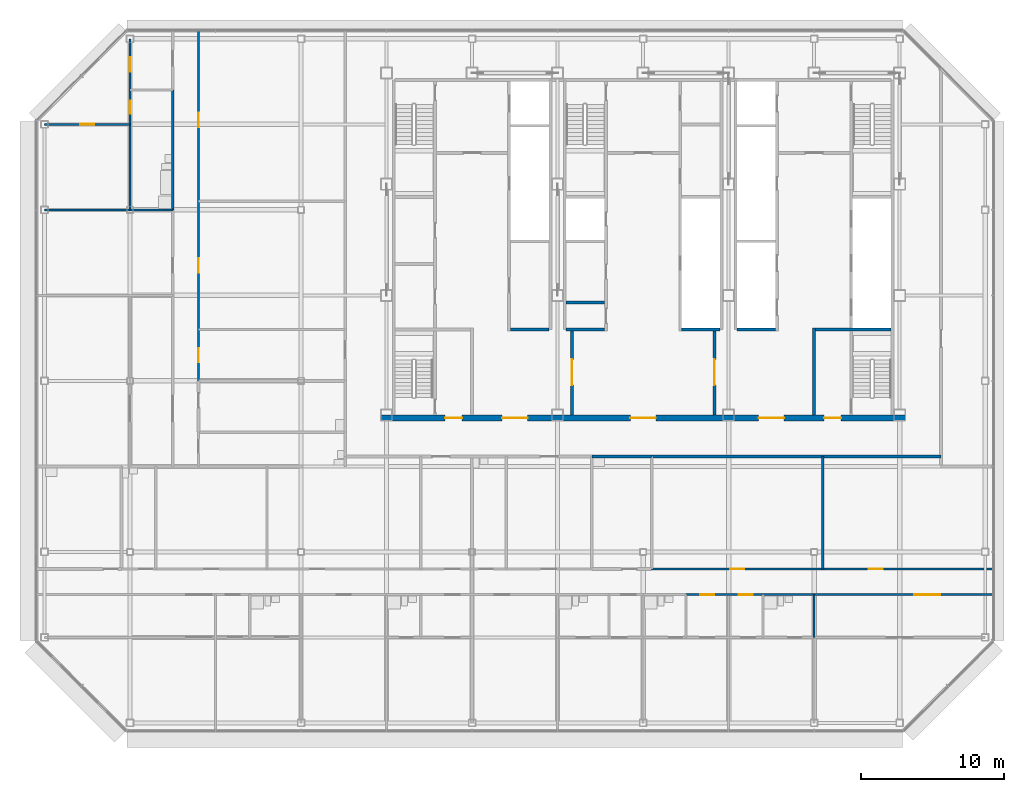
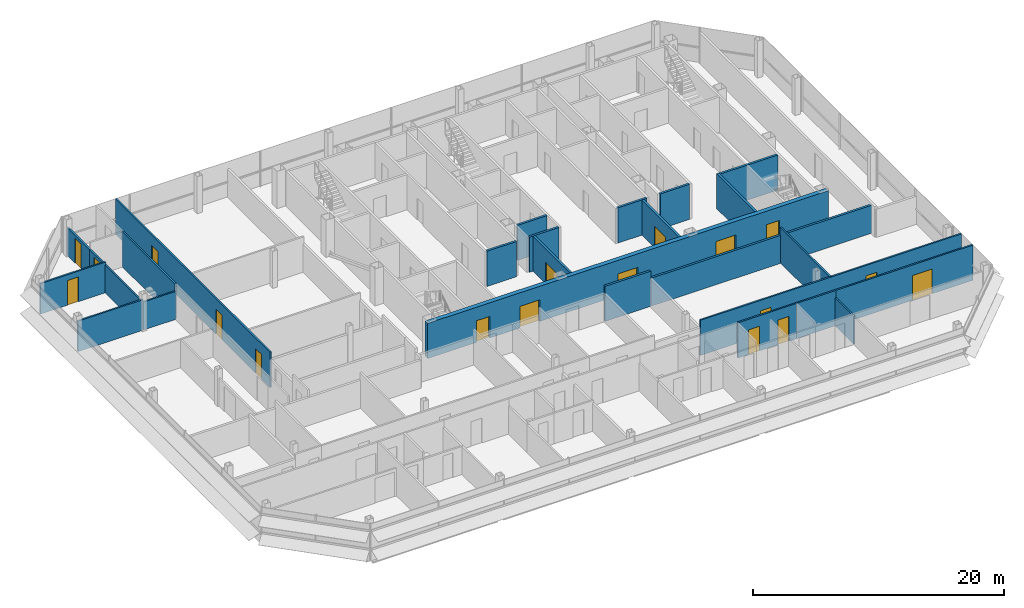
# One storey, part 23 of 28: 25 walls, 18 doors, 18 openings.
"""IFC4 building model written with IfcOpenShell, lengths in metres."""

import ifcopenshell
import ifcopenshell.guid

model = None  # the IFC model being written
_history = None  # IfcOwnerHistory: only IFC2X3 demands one
_inside = {}  # id of a spatial element -> (the spatial element, [elements in it])
_under = {}  # id of a project, library or spatial element -> (it, [spatial elements below it])
_declared = {}  # id of a project -> (the project, [libraries it declares])
_typed = {}  # id of a type object -> (the type object, [elements of that type])
_made_of = {}  # id of a material, layer set ... -> (it, [elements and type objects made of it])


def new_model(schema):
    """Start an empty IFC model of exactly this schema.

    Asked for "IFC4X3", IfcOpenShell would pick the latest addendum, in which some entities
    have other attributes; the version numbers below select the first issue.
    IFC2X3 requires an IfcOwnerHistory on every rooted entity: one is made here for all.
    """
    global model, _history
    if schema == "IFC4X3":
        model = ifcopenshell.file(schema_version=(4, 3, 0, 0))
    else:
        model = ifcopenshell.file(schema=schema)
    _inside.clear()
    _under.clear()
    _declared.clear()
    _typed.clear()
    _made_of.clear()
    _history = None
    if model.schema == "IFC2X3":
        org = make("IfcOrganization", Name="unknown")
        user = make(
            "IfcPersonAndOrganization",
            ThePerson=make("IfcPerson", FamilyName="unknown"),
            TheOrganization=org,
        )
        app = make(
            "IfcApplication",
            ApplicationDeveloper=org,
            Version="unknown",
            ApplicationFullName="unknown",
            ApplicationIdentifier="unknown",
        )
        _history = make(
            "IfcOwnerHistory",
            OwningUser=user,
            OwningApplication=app,
            ChangeAction="ADDED",
            CreationDate=0,
        )
    return model


def make(cls, **values):
    """One entity of the class cls with the attributes given. An attribute that is None is left unset."""
    return model.create_entity(
        cls, **{name: value for name, value in values.items() if value is not None}
    )


def rooted(cls, **values):
    """An entity with a GlobalId (a new one), such as an element, a storey or a relation."""
    return make(cls, GlobalId=ifcopenshell.guid.new(), OwnerHistory=_history, **values)


def si_unit(unit_type, name, prefix=None):
    """IfcSIUnit, for example si_unit("LENGTHUNIT", "METRE", prefix="MILLI")."""
    return make("IfcSIUnit", UnitType=unit_type, Prefix=prefix, Name=name)


def assignment(units):
    """IfcUnitAssignment: the units of a project."""
    return None if units is None else make("IfcUnitAssignment", Units=units)


def point(xyz):
    """IfcCartesianPoint."""
    return None if xyz is None else make("IfcCartesianPoint", Coordinates=xyz)


def direction(xyz):
    """IfcDirection."""
    return None if xyz is None else make("IfcDirection", DirectionRatios=xyz)


def frame(location, z_axis=None, x_axis=None):
    """IfcAxis2Placement3D, a coordinate frame: its origin and axes. An axis left out is left unset."""
    return make(
        "IfcAxis2Placement3D",
        Location=point(location),
        Axis=direction(z_axis),
        RefDirection=direction(x_axis),
    )


def frame_2d(location, x_axis=None):
    """IfcAxis2Placement2D, a coordinate frame in the plane: its origin and x axis."""
    return make(
        "IfcAxis2Placement2D", Location=point(location), RefDirection=direction(x_axis)
    )


def origin():
    """The frame at (0, 0, 0) with its axes left unset."""
    return frame((0.0, 0.0, 0.0))


def place(relative_to, where):
    """IfcLocalPlacement: puts the frame where relative to a parent placement (None: the world)."""
    return make(
        "IfcLocalPlacement", PlacementRelTo=relative_to, RelativePlacement=where
    )


def context(
    kind, dimensions, precision=None, world=None, true_north=None, identifier=None
):
    """IfcGeometricRepresentationContext, for example the 3D "Model" context."""
    return make(
        "IfcGeometricRepresentationContext",
        ContextIdentifier=identifier,
        ContextType=kind,
        CoordinateSpaceDimension=dimensions,
        Precision=precision,
        WorldCoordinateSystem=world,
        TrueNorth=true_north,
    )


def subcontext(parent, identifier, kind, view, scale=None):
    """IfcGeometricRepresentationSubContext, for example "Body" below "Model"."""
    return make(
        "IfcGeometricRepresentationSubContext",
        ContextIdentifier=identifier,
        ContextType=kind,
        ParentContext=parent,
        TargetScale=scale,
        TargetView=view,
    )


def project(units=None, contexts=None):
    """IfcProject with its units and contexts."""
    return rooted(
        "IfcProject",
        Name="project",
        RepresentationContexts=contexts,
        UnitsInContext=assignment(units),
    )


def spatial(cls, under=None, at=None, **own):
    """A site, building, storey or space (cls), placed at a placement, below another one or the project."""
    s = rooted(cls, ObjectPlacement=at, **own)
    if under is not None:
        _under.setdefault(under.id(), (under, []))[1].append(s)
    return s


def profile(cls, at=None, kind="AREA", **sizes):
    """A parametric profile (cls). Its sizes go by their IFC names, for example OverallWidth=200.0."""
    return make(cls, ProfileType=kind, Position=at, **sizes)


def rectangle(**sizes):
    """IfcRectangleProfileDef."""
    return profile("IfcRectangleProfileDef", **sizes)


def extrude(swept, where, along, depth):
    """IfcExtrudedAreaSolid: the profile swept, set in the frame where, extruded along a direction by depth."""
    return make(
        "IfcExtrudedAreaSolid",
        SweptArea=swept,
        Position=where,
        ExtrudedDirection=direction(along),
        Depth=depth,
    )


def shape(context_of_items, identifier, shape_type, items):
    """IfcShapeRepresentation: the items that make up one representation, for example the "Body"."""
    return make(
        "IfcShapeRepresentation",
        ContextOfItems=context_of_items,
        RepresentationIdentifier=identifier,
        RepresentationType=shape_type,
        Items=items,
    )


def material(Name=None, Category=None):
    """IfcMaterial."""
    return make("IfcMaterial", Name=Name, Category=Category)


def layer(
    of_material, thickness, ventilated=None, Name=None, Category=None, Priority=None
):
    """IfcMaterialLayer: one layer of a wall or slab, of a material (None: an air gap)."""
    return make(
        "IfcMaterialLayer",
        Material=of_material,
        LayerThickness=thickness,
        IsVentilated=ventilated,
        Name=Name,
        Category=Category,
        Priority=Priority,
    )


def layer_set(layers, Name=None):
    """IfcMaterialLayerSet."""
    return make("IfcMaterialLayerSet", MaterialLayers=layers, LayerSetName=Name)


def made_of(thing, what):
    """Note that an element or type object is made of a material, layer set ...; save() writes the relation."""
    if what is not None:
        _made_of.setdefault(what.id(), (what, []))[1].append(thing)
    return thing


def type_object(cls, material=None, **own):
    """A type object (cls), such as IfcWallType, which elements share."""
    return made_of(rooted(cls, **own), material)


def element(
    cls,
    number,
    at=None,
    inside=None,
    cuts=None,
    type_object=None,
    material=None,
    context=None,
    identifier="Body",
    shape_type=None,
    held_by="IfcProductDefinitionShape",
    body=None,
    shapes=None,
    **own,
):
    """One element of the class cls, such as IfcWall. Its Tag is "e" and its number.

    at: its placement. inside: the storey or other place that contains it. cuts: it is an
    opening in that element (IfcRelVoidsElement). A single representation is given by context,
    identifier, shape_type and body (its items); several are given by shapes. held_by: the class
    of the entity that holds the representations. save() writes the other relations.
    """
    e = rooted(cls, Tag="e%d" % number, ObjectPlacement=at, **own)
    if body is not None:
        shapes = [shape(context, identifier, shape_type, body)]
    if shapes is not None:
        e.Representation = make(held_by, Representations=shapes)
    if inside is not None:
        _inside.setdefault(inside.id(), (inside, []))[1].append(e)
    if cuts is not None:
        rooted(
            "IfcRelVoidsElement", RelatingBuildingElement=cuts, RelatedOpeningElement=e
        )
    if type_object is not None:
        _typed.setdefault(type_object.id(), (type_object, []))[1].append(e)
    return made_of(e, material)


def fill(opening, filler):
    """IfcRelFillsElement: the door or window that sits in an opening."""
    return rooted(
        "IfcRelFillsElement",
        RelatingOpeningElement=opening,
        RelatedBuildingElement=filler,
    )


def aggregate(whole, parts):
    """IfcRelAggregates: a whole, such as a stair, and the parts it consists of."""
    return rooted("IfcRelAggregates", RelatingObject=whole, RelatedObjects=parts)


def save(model, path):
    """Write the relations noted so far, then the file.

    IfcRelAggregates (storeys below a building ...), IfcRelContainedInSpatialStructure (elements
    in a storey), IfcRelDefinesByType, IfcRelAssociatesMaterial and IfcRelDeclares: one each for
    every whole, place, type object, material and project.
    """
    for whole, parts in _under.values():
        aggregate(whole, parts)
    for where, things in _inside.values():
        rooted(
            "IfcRelContainedInSpatialStructure",
            RelatedElements=things,
            RelatingStructure=where,
        )
    for kind, things in _typed.values():
        rooted("IfcRelDefinesByType", RelatedObjects=things, RelatingType=kind)
    for what, things in _made_of.values():
        rooted("IfcRelAssociatesMaterial", RelatedObjects=things, RelatingMaterial=what)
    for by, libraries in _declared.values():
        rooted("IfcRelDeclares", RelatingContext=by, RelatedDefinitions=libraries)
    model.write(path)


model = new_model("IFC4")

# Units and contexts
model_context = context("Model", 3, precision=1e-05, world=origin(), true_north=direction((0.0, 1.0)))
body_context = subcontext(model_context, "Body", "Model", "MODEL_VIEW")
ifc_project = project(units=[si_unit("LENGTHUNIT", "METRE"), si_unit("AREAUNIT", "SQUARE_METRE"), si_unit("VOLUMEUNIT", "CUBIC_METRE"), si_unit("PLANEANGLEUNIT", "RADIAN"), si_unit("MASSUNIT", "GRAM", prefix="KILO")], contexts=[model_context])

# Site, building, storey
site_placement = place(None, origin())
site = spatial("IfcSite", under=ifc_project, at=site_placement, CompositionType="ELEMENT")
building_placement = place(site_placement, origin())
building = spatial("IfcBuilding", under=site, at=building_placement, Name="Sorahane Residences", CompositionType="ELEMENT")
storey_placement = place(building_placement, frame((0.0, 0.0, 308.800048828125)))
storey = spatial("IfcBuildingStorey", under=building, at=storey_placement, Name="L73", CompositionType="ELEMENT", Elevation=308.800048828125)

# Walls
ifc_material_1 = material(Name="Concrete blockwork C20 wall", Category="masonry")
ifc_layer_1 = layer(ifc_material_1, 0.199951171875)
ifc_layer_set_1 = layer_set([ifc_layer_1], Name="Corridor wall 200 EI 120")
wall_type_1 = type_object("IfcWallType", Name="Corridor wall 200 EI 120", PredefinedType="SOLIDWALL", material=ifc_layer_set_1)
wall_1_placement = place(storey_placement, frame((24.60009765625, 18.699951171875, 0.0), z_axis=(0.0, 0.0, 1.0), x_axis=(1.0, 0.0, 0.0)))
element("IfcWall", 1, at=wall_1_placement, inside=storey, type_object=wall_type_1, Name="L73 corridor wall", PredefinedType="SOLIDWALL", context=body_context, shape_type="SweptSolid", body=[
    extrude(rectangle(XDim=20.2998046875, YDim=0.199951171875, at=frame_2d((10.14990234375, 0.0))), origin(), (0.0, 0.0, 1.0), 2.719970703125),
])
ifc_material_2 = material(Name="Concrete C30", Category="concrete")
ifc_layer_2 = layer(ifc_material_2, 0.199951171875)
ifc_layer_set_2 = layer_set([ifc_layer_2], Name="Front room wall 200 EI 120")
wall_type_2 = type_object("IfcWallType", Name="Front room wall 200 EI 120", PredefinedType="PARTITIONING", material=ifc_layer_set_2)
wall_2_placement = place(storey_placement, frame((36.0, 21.60009765625, 0.0), z_axis=(0.0, 0.0, 1.0), x_axis=(0.0, 1.0, 0.0)))
element("IfcWall", 2, at=wall_2_placement, inside=storey, type_object=wall_type_2, Name="L73 front room wall", PredefinedType="PARTITIONING", context=body_context, shape_type="SweptSolid", body=[
    extrude(rectangle(XDim=6.099853515625, YDim=0.199951171875, at=frame_2d((3.0498046875, 0.0))), origin(), (0.0, 0.0, 1.0), 3.419921875),
])
ifc_material_3 = material(Name="Concrete blockwork C20 wall", Category="masonry")
ifc_layer_3 = layer(ifc_material_3, 0.199951171875)
ifc_layer_set_3 = layer_set([ifc_layer_3], Name="Kitchen wall 200 EI 180")
wall_type_3 = type_object("IfcWallType", Name="Kitchen wall 200 EI 180", PredefinedType="SOLIDWALL", material=ifc_layer_set_3)
wall_3_placement = place(storey_placement, frame((20.39990234375, 18.699951171875, 0.0), z_axis=(0.0, 0.0, 1.0), x_axis=(1.0, 0.0, 0.0)))
element("IfcWall", 3, at=wall_3_placement, inside=storey, type_object=wall_type_3, Name="L73 kitchen wall", PredefinedType="SOLIDWALL", context=body_context, shape_type="SweptSolid", body=[
    extrude(rectangle(XDim=4.2001953125, YDim=0.199951171875, at=frame_2d((2.10009765625, 0.0))), origin(), (0.0, 0.0, 1.0), 3.419921875),
])
ifc_material_4 = material(Name="Concrete C30", Category="concrete")
ifc_layer_4 = layer(ifc_material_4, 0.199951171875)
ifc_layer_set_4 = layer_set([ifc_layer_4], Name="Lift shaft wall 200 EI 120")
wall_type_4 = type_object("IfcWallType", Name="Lift shaft wall 200 EI 120", PredefinedType="SOLIDWALL", material=ifc_layer_set_4)
wall_4_placement = place(storey_placement, frame((30.60009765625, 27.60009765625, 0.0), z_axis=(0.0, 0.0, 1.0), x_axis=(1.0, 0.0, 0.0)))
element("IfcWall", 4, at=wall_4_placement, inside=storey, type_object=wall_type_4, Name="L73 lift shaft wall", PredefinedType="SOLIDWALL", context=body_context, shape_type="SweptSolid", body=[
    extrude(rectangle(XDim=2.699951171875, YDim=0.199951171875, at=frame_2d((1.35009765625, 0.0))), origin(), (0.0, 0.0, 1.0), 3.419921875),
])

# Wall, opening, door
ifc_material_5 = material(Name="Gypsum board partition on steel studs", Category="steel")
ifc_layer_5 = layer(ifc_material_5, 0.14990234375)
ifc_layer_set_5 = layer_set([ifc_layer_5], Name="Partition 150 EI 90")
wall_type_5 = type_object("IfcWallType", Name="Partition 150 EI 90", PredefinedType="PARTITIONING", material=ifc_layer_set_5)
wall_5_placement = place(storey_placement, frame((-12.0, 44.39990234375, 0.0), z_axis=(0.0, 0.0, 1.0), x_axis=(0.0, 1.0, 0.0)))
wall_5 = element("IfcWall", 5, at=wall_5_placement, inside=storey, type_object=wall_type_5, Name="L73 partition", PredefinedType="PARTITIONING", context=body_context, shape_type="SweptSolid", body=[
    extrude(rectangle(XDim=3.60009765625, YDim=0.14990234375, at=frame_2d((1.800048828125, 0.0))), origin(), (0.0, 0.0, 1.0), 2.719970703125),
])
opening_1_placement = place(wall_5_placement, frame((1.300048828125, 0.0, 0.0)))
opening_1 = element("IfcOpeningElement", 6, at=opening_1_placement, cuts=wall_5, Name="Opening L73-41", PredefinedType="OPENING", context=body_context, shape_type="SweptSolid", body=[
    extrude(rectangle(XDim=1.0, YDim=2.39990234375, at=frame_2d((0.5, 1.199951171875))), frame((0.0, 0.0849609375, 0.0), z_axis=(0.0, -1.0, 0.0), x_axis=(1.0, 0.0, 0.0)), (0.0, 0.0, 1.0), 0.169921875),
])
ifc_material_6 = material(Name="Timber veneered fire door", Category="wood")
door_type_1 = type_object("IfcDoorType", Name="Room door 1000x2400 FD30", OperationType="NOTDEFINED", PredefinedType="DOOR", material=ifc_material_6)
door_1_placement = place(opening_1_placement, origin())
door_1 = element("IfcDoor", 7, at=door_1_placement, inside=storey, type_object=door_type_1, Name="Room door L73-41", OperationType="SINGLE_SWING_LEFT", OverallHeight=2.39990234375, OverallWidth=1.0, PredefinedType="DOOR", context=body_context, shape_type="SweptSolid", body=[
    extrude(rectangle(XDim=1.0, YDim=2.39990234375, at=frame_2d((0.5, 1.199951171875))), frame((0.0, 0.02490234375, 0.0), z_axis=(0.0, -1.0, 0.0), x_axis=(1.0, 0.0, 0.0)), (0.0, 0.0, 1.0), 0.050048828125),
])
fill(opening_1, door_1)

# Wall, openings, doors
wall_6_placement = place(storey_placement, frame((-7.199951171875, 24.0, 0.0), z_axis=(0.0, 0.0, 1.0), x_axis=(0.0, 1.0, 0.0)))
wall_6 = element("IfcWall", 8, at=wall_6_placement, inside=storey, type_object=wall_type_5, Name="L73 partition", PredefinedType="PARTITIONING", context=body_context, shape_type="SweptSolid", body=[
    extrude(rectangle(XDim=24.60009765625, YDim=0.14990234375, at=frame_2d((12.300048828125, 0.0))), origin(), (0.0, 0.0, 1.0), 3.419921875),
])
opening_2_placement = place(wall_6_placement, frame((1.300048828125, 0.0, 0.0)))
opening_2 = element("IfcOpeningElement", 9, at=opening_2_placement, cuts=wall_6, Name="Opening L73-32", PredefinedType="OPENING", context=body_context, shape_type="SweptSolid", body=[
    extrude(rectangle(XDim=1.0, YDim=2.39990234375, at=frame_2d((0.5, 1.199951171875))), frame((0.0, 0.0849609375, 0.0), z_axis=(0.0, -1.0, 0.0), x_axis=(1.0, 0.0, 0.0)), (0.0, 0.0, 1.0), 0.169921875),
])
opening_3_placement = place(wall_6_placement, frame((7.60009765625, 0.0, 0.0)))
opening_3 = element("IfcOpeningElement", 10, at=opening_3_placement, cuts=wall_6, Name="Opening L73-35", PredefinedType="OPENING", context=body_context, shape_type="SweptSolid", body=[
    extrude(rectangle(XDim=1.0, YDim=2.39990234375, at=frame_2d((0.5, 1.199951171875))), frame((0.0, 0.0849609375, 0.0), z_axis=(0.0, -1.0, 0.0), x_axis=(1.0, 0.0, 0.0)), (0.0, 0.0, 1.0), 0.169921875),
])
opening_4_placement = place(wall_6_placement, frame((17.800048828125, 0.0, 0.0)))
opening_4 = element("IfcOpeningElement", 11, at=opening_4_placement, cuts=wall_6, Name="Opening L73-36", PredefinedType="OPENING", context=body_context, shape_type="SweptSolid", body=[
    extrude(rectangle(XDim=1.0, YDim=2.39990234375, at=frame_2d((0.5, 1.199951171875))), frame((0.0, 0.0849609375, 0.0), z_axis=(0.0, -1.0, 0.0), x_axis=(1.0, 0.0, 0.0)), (0.0, 0.0, 1.0), 0.169921875),
])
door_2_placement = place(opening_2_placement, origin())
door_2 = element("IfcDoor", 12, at=door_2_placement, inside=storey, type_object=door_type_1, Name="Room door L73-32", OperationType="SINGLE_SWING_RIGHT", OverallHeight=2.39990234375, OverallWidth=1.0, PredefinedType="DOOR", context=body_context, shape_type="SweptSolid", body=[
    extrude(rectangle(XDim=1.0, YDim=2.39990234375, at=frame_2d((0.5, 1.199951171875))), frame((0.0, 0.02490234375, 0.0), z_axis=(0.0, -1.0, 0.0), x_axis=(1.0, 0.0, 0.0)), (0.0, 0.0, 1.0), 0.050048828125),
])
fill(opening_2, door_2)
door_3_placement = place(opening_3_placement, frame((1.0, 0.0, 0.0), z_axis=(0.0, 0.0, 1.0), x_axis=(-1.0, 0.0, 0.0)))
door_3 = element("IfcDoor", 13, at=door_3_placement, inside=storey, type_object=door_type_1, Name="Room door L73-35", OperationType="SINGLE_SWING_RIGHT", OverallHeight=2.39990234375, OverallWidth=1.0, PredefinedType="DOOR", context=body_context, shape_type="SweptSolid", body=[
    extrude(rectangle(XDim=1.0, YDim=2.39990234375, at=frame_2d((0.5, 1.199951171875))), frame((0.0, 0.02490234375, 0.0), z_axis=(0.0, -1.0, 0.0), x_axis=(1.0, 0.0, 0.0)), (0.0, 0.0, 1.0), 0.050048828125),
])
fill(opening_3, door_3)
door_4_placement = place(opening_4_placement, frame((1.0, 0.0, 0.0), z_axis=(0.0, 0.0, 1.0), x_axis=(-1.0, 0.0, 0.0)))
door_4 = element("IfcDoor", 14, at=door_4_placement, inside=storey, type_object=door_type_1, Name="Room door L73-36", OperationType="SINGLE_SWING_LEFT", OverallHeight=2.39990234375, OverallWidth=1.0, PredefinedType="DOOR", context=body_context, shape_type="SweptSolid", body=[
    extrude(rectangle(XDim=1.0, YDim=2.39990234375, at=frame_2d((0.5, 1.199951171875))), frame((0.0, 0.02490234375, 0.0), z_axis=(0.0, -1.0, 0.0), x_axis=(1.0, 0.0, 0.0)), (0.0, 0.0, 1.0), 0.050048828125),
])
fill(opening_4, door_4)

# Wall
wall_7_placement = place(storey_placement, frame((36.60009765625, 10.800048828125, 0.0), z_axis=(0.0, 0.0, 1.0), x_axis=(0.0, 1.0, 0.0)))
element("IfcWall", 15, at=wall_7_placement, inside=storey, type_object=wall_type_5, Name="L73 partition", PredefinedType="PARTITIONING", context=body_context, shape_type="SweptSolid", body=[
    extrude(rectangle(XDim=7.89990234375, YDim=0.14990234375, at=frame_2d((3.949951171875, 0.0))), origin(), (0.0, 0.0, 1.0), 3.419921875),
])

# Wall, openings, doors
wall_8_placement = place(storey_placement, frame((24.60009765625, 10.800048828125, 0.0), z_axis=(0.0, 0.0, 1.0), x_axis=(1.0, 0.0, 0.0)))
wall_8 = element("IfcWall", 16, at=wall_8_placement, inside=storey, type_object=wall_type_5, Name="L73 partition", PredefinedType="PARTITIONING", context=body_context, shape_type="SweptSolid", body=[
    extrude(rectangle(XDim=24.0, YDim=0.14990234375, at=frame_2d((12.0, 0.0))), origin(), (0.0, 0.0, 1.0), 3.419921875),
])
opening_5_placement = place(wall_8_placement, frame((5.5, 0.0, 0.0)))
opening_5 = element("IfcOpeningElement", 17, at=opening_5_placement, cuts=wall_8, Name="Opening L73-18", PredefinedType="OPENING", context=body_context, shape_type="SweptSolid", body=[
    extrude(rectangle(XDim=1.0, YDim=2.39990234375, at=frame_2d((0.5, 1.199951171875))), frame((0.0, 0.0849609375, 0.0), z_axis=(0.0, -1.0, 0.0), x_axis=(1.0, 0.0, 0.0)), (0.0, 0.0, 1.0), 0.169921875),
])
opening_6_placement = place(wall_8_placement, frame((15.219970703125, 0.0, 0.0)))
opening_6 = element("IfcOpeningElement", 18, at=opening_6_placement, cuts=wall_8, Name="Opening L73-19", PredefinedType="OPENING", context=body_context, shape_type="SweptSolid", body=[
    extrude(rectangle(XDim=1.0, YDim=2.39990234375, at=frame_2d((0.5, 1.199951171875))), frame((0.0, 0.0849609375, 0.0), z_axis=(0.0, -1.0, 0.0), x_axis=(1.0, 0.0, 0.0)), (0.0, 0.0, 1.0), 0.169921875),
])
door_5_placement = place(opening_5_placement, origin())
door_5 = element("IfcDoor", 19, at=door_5_placement, inside=storey, type_object=door_type_1, Name="Room door L73-18", OperationType="SINGLE_SWING_RIGHT", OverallHeight=2.39990234375, OverallWidth=1.0, PredefinedType="DOOR", context=body_context, shape_type="SweptSolid", body=[
    extrude(rectangle(XDim=1.0, YDim=2.39990234375, at=frame_2d((0.5, 1.199951171875))), frame((0.0, 0.02490234375, 0.0), z_axis=(0.0, -1.0, 0.0), x_axis=(1.0, 0.0, 0.0)), (0.0, 0.0, 1.0), 0.050048828125),
])
fill(opening_5, door_5)
door_6_placement = place(opening_6_placement, origin())
door_6 = element("IfcDoor", 20, at=door_6_placement, inside=storey, type_object=door_type_1, Name="Room door L73-19", OperationType="SINGLE_SWING_RIGHT", OverallHeight=2.39990234375, OverallWidth=1.0, PredefinedType="DOOR", context=body_context, shape_type="SweptSolid", body=[
    extrude(rectangle(XDim=1.0, YDim=2.39990234375, at=frame_2d((0.5, 1.199951171875))), frame((0.0, 0.02490234375, 0.0), z_axis=(0.0, -1.0, 0.0), x_axis=(1.0, 0.0, 0.0)), (0.0, 0.0, 1.0), 0.050048828125),
])
fill(opening_6, door_6)

# Wall
wall_9_placement = place(storey_placement, frame((-18.0, 36.0, 0.0), z_axis=(0.0, 0.0, 1.0), x_axis=(1.0, 0.0, 0.0)))
element("IfcWall", 21, at=wall_9_placement, inside=storey, type_object=wall_type_5, Name="L73 partition", PredefinedType="PARTITIONING", context=body_context, shape_type="SweptSolid", body=[
    extrude(rectangle(XDim=6.0, YDim=0.14990234375, at=frame_2d((3.0, 0.0))), origin(), (0.0, 0.0, 1.0), 2.969970703125),
])

# Wall, opening, door
wall_10_placement = place(storey_placement, frame((-18.0, 42.0, 0.0), z_axis=(0.0, 0.0, 1.0), x_axis=(1.0, 0.0, 0.0)))
wall_10 = element("IfcWall", 22, at=wall_10_placement, inside=storey, type_object=wall_type_5, Name="L73 partition", PredefinedType="PARTITIONING", context=body_context, shape_type="SweptSolid", body=[
    extrude(rectangle(XDim=6.0, YDim=0.14990234375, at=frame_2d((3.0, 0.0))), origin(), (0.0, 0.0, 1.0), 2.969970703125),
])
opening_7_placement = place(wall_10_placement, frame((2.5, 0.0, 0.0)))
opening_7 = element("IfcOpeningElement", 23, at=opening_7_placement, cuts=wall_10, Name="Opening L73-42", PredefinedType="OPENING", context=body_context, shape_type="SweptSolid", body=[
    extrude(rectangle(XDim=1.0, YDim=2.39990234375, at=frame_2d((0.5, 1.199951171875))), frame((0.0, 0.0849609375, 0.0), z_axis=(0.0, -1.0, 0.0), x_axis=(1.0, 0.0, 0.0)), (0.0, 0.0, 1.0), 0.169921875),
])
door_7_placement = place(opening_7_placement, frame((1.0, 0.0, 0.0), z_axis=(0.0, 0.0, 1.0), x_axis=(-1.0, 0.0, 0.0)))
door_7 = element("IfcDoor", 24, at=door_7_placement, inside=storey, type_object=door_type_1, Name="Room door L73-42", OperationType="SINGLE_SWING_LEFT", OverallHeight=2.39990234375, OverallWidth=1.0, PredefinedType="DOOR", context=body_context, shape_type="SweptSolid", body=[
    extrude(rectangle(XDim=1.0, YDim=2.39990234375, at=frame_2d((0.5, 1.199951171875))), frame((0.0, 0.02490234375, 0.0), z_axis=(0.0, -1.0, 0.0), x_axis=(1.0, 0.0, 0.0)), (0.0, 0.0, 1.0), 0.050048828125),
])
fill(opening_7, door_7)

# Wall, openings, doors
wall_11_placement = place(storey_placement, frame((27.0, 9.0, 0.0), z_axis=(0.0, 0.0, 1.0), x_axis=(1.0, 0.0, 0.0)))
wall_11 = element("IfcWall", 25, at=wall_11_placement, inside=storey, type_object=wall_type_5, Name="L73 partition", PredefinedType="PARTITIONING", context=body_context, shape_type="SweptSolid", body=[
    extrude(rectangle(XDim=5.39990234375, YDim=0.14990234375, at=frame_2d((2.699951171875, 0.0))), origin(), (0.0, 0.0, 1.0), 3.419921875),
])
opening_8_placement = place(wall_11_placement, frame((1.0, 0.0, 0.0)))
opening_8 = element("IfcOpeningElement", 26, at=opening_8_placement, cuts=wall_11, Name="Opening L73-22", PredefinedType="OPENING", context=body_context, shape_type="SweptSolid", body=[
    extrude(rectangle(XDim=1.0, YDim=2.39990234375, at=frame_2d((0.5, 1.199951171875))), frame((0.0, 0.0849609375, 0.0), z_axis=(0.0, -1.0, 0.0), x_axis=(1.0, 0.0, 0.0)), (0.0, 0.0, 1.0), 0.169921875),
])
opening_9_placement = place(wall_11_placement, frame((3.699951171875, 0.0, 0.0)))
opening_9 = element("IfcOpeningElement", 27, at=opening_9_placement, cuts=wall_11, Name="Opening L73-23", PredefinedType="OPENING", context=body_context, shape_type="SweptSolid", body=[
    extrude(rectangle(XDim=1.0, YDim=2.39990234375, at=frame_2d((0.5, 1.199951171875))), frame((0.0, 0.0849609375, 0.0), z_axis=(0.0, -1.0, 0.0), x_axis=(1.0, 0.0, 0.0)), (0.0, 0.0, 1.0), 0.169921875),
])
door_8_placement = place(opening_8_placement, frame((1.0, 0.0, 0.0), z_axis=(0.0, 0.0, 1.0), x_axis=(-1.0, 0.0, 0.0)))
door_8 = element("IfcDoor", 28, at=door_8_placement, inside=storey, type_object=door_type_1, Name="Room door L73-22", OperationType="SINGLE_SWING_LEFT", OverallHeight=2.39990234375, OverallWidth=1.0, PredefinedType="DOOR", context=body_context, shape_type="SweptSolid", body=[
    extrude(rectangle(XDim=1.0, YDim=2.39990234375, at=frame_2d((0.5, 1.199951171875))), frame((0.0, 0.02490234375, 0.0), z_axis=(0.0, -1.0, 0.0), x_axis=(1.0, 0.0, 0.0)), (0.0, 0.0, 1.0), 0.050048828125),
])
fill(opening_8, door_8)
door_9_placement = place(opening_9_placement, frame((1.0, 0.0, 0.0), z_axis=(0.0, 0.0, 1.0), x_axis=(-1.0, 0.0, 0.0)))
door_9 = element("IfcDoor", 29, at=door_9_placement, inside=storey, type_object=door_type_1, Name="Room door L73-23", OperationType="SINGLE_SWING_LEFT", OverallHeight=2.39990234375, OverallWidth=1.0, PredefinedType="DOOR", context=body_context, shape_type="SweptSolid", body=[
    extrude(rectangle(XDim=1.0, YDim=2.39990234375, at=frame_2d((0.5, 1.199951171875))), frame((0.0, 0.02490234375, 0.0), z_axis=(0.0, -1.0, 0.0), x_axis=(1.0, 0.0, 0.0)), (0.0, 0.0, 1.0), 0.050048828125),
])
fill(opening_9, door_9)

# Wall, opening, door
wall_12_placement = place(storey_placement, frame((36.0, 9.0, 0.0), z_axis=(0.0, 0.0, 1.0), x_axis=(1.0, 0.0, 0.0)))
wall_12 = element("IfcWall", 30, at=wall_12_placement, inside=storey, type_object=wall_type_5, Name="L73 partition", PredefinedType="PARTITIONING", context=body_context, shape_type="SweptSolid", body=[
    extrude(rectangle(XDim=12.60009765625, YDim=0.14990234375, at=frame_2d((6.300048828125, 0.0))), origin(), (0.0, 0.0, 1.0), 3.419921875),
])
opening_10_placement = place(wall_12_placement, frame((7.0400390625, 0.0, 0.0)))
opening_10 = element("IfcOpeningElement", 31, at=opening_10_placement, cuts=wall_12, Name="Opening L73-24", PredefinedType="OPENING", context=body_context, shape_type="SweptSolid", body=[
    extrude(rectangle(XDim=1.800048828125, YDim=2.39990234375, at=frame_2d((0.89990234375, 1.199951171875))), frame((0.0, 0.0849609375, 0.0), z_axis=(0.0, -1.0, 0.0), x_axis=(1.0, 0.0, 0.0)), (0.0, 0.0, 1.0), 0.169921875),
])
ifc_material_7 = material(Name="Timber veneered fire door", Category="wood")
door_type_2 = type_object("IfcDoorType", Name="Double door 1800x2400 FD30", OperationType="NOTDEFINED", PredefinedType="DOOR", material=ifc_material_7)
door_10_placement = place(opening_10_placement, frame((1.800048828125, 0.0, 0.0), z_axis=(0.0, 0.0, 1.0), x_axis=(-1.0, 0.0, 0.0)))
door_10 = element("IfcDoor", 32, at=door_10_placement, inside=storey, type_object=door_type_2, Name="Double door L73-24", OperationType="SINGLE_SWING_LEFT", OverallHeight=2.39990234375, OverallWidth=1.800048828125, PredefinedType="DOOR", context=body_context, shape_type="SweptSolid", body=[
    extrude(rectangle(XDim=1.800048828125, YDim=2.39990234375, at=frame_2d((0.89990234375, 1.199951171875))), frame((0.0, 0.02490234375, 0.0), z_axis=(0.0, -1.0, 0.0), x_axis=(1.0, 0.0, 0.0)), (0.0, 0.0, 1.0), 0.050048828125),
])
fill(opening_10, door_10)

# Wall
ifc_material_8 = material(Name="Concrete C30", Category="concrete")
ifc_layer_6 = layer(ifc_material_8, 0.199951171875)
ifc_layer_set_6 = layer_set([ifc_layer_6], Name="Riser shaft wall 200 EI 120")
wall_type_6 = type_object("IfcWallType", Name="Riser shaft wall 200 EI 120", PredefinedType="SOLIDWALL", material=ifc_layer_set_6)
wall_13_placement = place(storey_placement, frame((26.699951171875, 27.60009765625, 0.0), z_axis=(0.0, 0.0, 1.0), x_axis=(1.0, 0.0, 0.0)))
element("IfcWall", 33, at=wall_13_placement, inside=storey, type_object=wall_type_6, Name="L73 riser wall", PredefinedType="SOLIDWALL", context=body_context, shape_type="SweptSolid", body=[
    extrude(rectangle(XDim=2.699951171875, YDim=0.199951171875, at=frame_2d((1.35009765625, 0.0))), origin(), (0.0, 0.0, 1.0), 3.419921875),
])

# Wall, opening, door
ifc_material_9 = material(Name="Concrete C30", Category="concrete")
ifc_layer_7 = layer(ifc_material_9, 0.199951171875)
ifc_layer_set_7 = layer_set([ifc_layer_7], Name="Service room partition 200 EI 60")
wall_type_7 = type_object("IfcWallType", Name="Service room partition 200 EI 60", PredefinedType="PARTITIONING", material=ifc_layer_set_7)
wall_14_placement = place(storey_placement, frame((19.0, 21.60009765625, 0.0), z_axis=(0.0, 0.0, 1.0), x_axis=(0.0, 1.0, 0.0)))
wall_14 = element("IfcWall", 34, at=wall_14_placement, inside=storey, type_object=wall_type_7, Name="L73 service room wall", PredefinedType="PARTITIONING", context=body_context, shape_type="SweptSolid", body=[
    extrude(rectangle(XDim=6.0, YDim=0.199951171875, at=frame_2d((3.0, 0.0))), origin(), (0.0, 0.0, 1.0), 3.419921875),
])
opening_11_placement = place(wall_14_placement, frame((2.10009765625, 0.0, 0.0)))
opening_11 = element("IfcOpeningElement", 35, at=opening_11_placement, cuts=wall_14, Name="Opening L73-C02", PredefinedType="OPENING", context=body_context, shape_type="SweptSolid", body=[
    extrude(rectangle(XDim=1.800048828125, YDim=2.10009765625, at=frame_2d((0.89990234375, 1.050048828125))), frame((0.0, 0.10986328125, 0.0), z_axis=(0.0, -1.0, 0.0), x_axis=(1.0, 0.0, 0.0)), (0.0, 0.0, 1.0), 0.219970703125),
])
ifc_material_10 = material(Name="Steel", Category="steel")
door_type_3 = type_object("IfcDoorType", Name="Waiting hall door 1800x2100 FD60", OperationType="NOTDEFINED", PredefinedType="DOOR", material=ifc_material_10)
door_11_placement = place(opening_11_placement, origin())
door_11 = element("IfcDoor", 36, at=door_11_placement, inside=storey, type_object=door_type_3, Name="Waiting hall door Residents' waiting hall west L73", OperationType="SINGLE_SWING_LEFT", OverallHeight=2.10009765625, OverallWidth=1.800048828125, PredefinedType="DOOR", context=body_context, shape_type="SweptSolid", body=[
    extrude(rectangle(XDim=1.800048828125, YDim=2.10009765625, at=frame_2d((0.89990234375, 1.050048828125))), frame((0.0, 0.02490234375, 0.0), z_axis=(0.0, -1.0, 0.0), x_axis=(1.0, 0.0, 0.0)), (0.0, 0.0, 1.0), 0.050048828125),
])
fill(opening_11, door_11)

wall_15_placement = place(storey_placement, frame((29.0, 21.60009765625, 0.0), z_axis=(0.0, 0.0, 1.0), x_axis=(0.0, 1.0, 0.0)))
wall_15 = element("IfcWall", 37, at=wall_15_placement, inside=storey, type_object=wall_type_7, Name="L73 service room wall", PredefinedType="PARTITIONING", context=body_context, shape_type="SweptSolid", body=[
    extrude(rectangle(XDim=6.0, YDim=0.199951171875, at=frame_2d((3.0, 0.0))), origin(), (0.0, 0.0, 1.0), 3.419921875),
])
opening_12_placement = place(wall_15_placement, frame((2.10009765625, 0.0, 0.0)))
opening_12 = element("IfcOpeningElement", 38, at=opening_12_placement, cuts=wall_15, Name="Opening L73-C04", PredefinedType="OPENING", context=body_context, shape_type="SweptSolid", body=[
    extrude(rectangle(XDim=1.800048828125, YDim=2.10009765625, at=frame_2d((0.89990234375, 1.050048828125))), frame((0.0, 0.10986328125, 0.0), z_axis=(0.0, -1.0, 0.0), x_axis=(1.0, 0.0, 0.0)), (0.0, 0.0, 1.0), 0.219970703125),
])
door_12_placement = place(opening_12_placement, origin())
door_12 = element("IfcDoor", 39, at=door_12_placement, inside=storey, type_object=door_type_3, Name="Waiting hall door Residents' waiting hall centre L73", OperationType="SINGLE_SWING_LEFT", OverallHeight=2.10009765625, OverallWidth=1.800048828125, PredefinedType="DOOR", context=body_context, shape_type="SweptSolid", body=[
    extrude(rectangle(XDim=1.800048828125, YDim=2.10009765625, at=frame_2d((0.89990234375, 1.050048828125))), frame((0.0, 0.02490234375, 0.0), z_axis=(0.0, -1.0, 0.0), x_axis=(1.0, 0.0, 0.0)), (0.0, 0.0, 1.0), 0.050048828125),
])
fill(opening_12, door_12)

# Walls
for number, where, z_axis, x_axis, name in (
    (40, (14.699951171875, 27.60009765625, 0.0), (0.0, 0.0, 1.0), (1.0, 0.0, 0.0), "L73 service room wall"),
    (41, (18.60009765625, 27.60009765625, 0.0), (0.0, 0.0, 1.0), (1.0, 0.0, 0.0), "L73 service room wall"),
    (42, (18.60009765625, 29.5, 0.0), (0.0, 0.0, 1.0), (1.0, 0.0, 0.0), "L73 service room wall"),
):
    element("IfcWall", number, at=place(storey_placement, frame(where, z_axis=z_axis, x_axis=x_axis)), inside=storey, type_object=wall_type_7, Name=name, PredefinedType="PARTITIONING", context=body_context, shape_type="SweptSolid", body=[
        extrude(rectangle(XDim=2.699951171875, YDim=0.199951171875, at=frame_2d((1.35009765625, 0.0))), origin(), (0.0, 0.0, 1.0), 3.419921875),
    ])
ifc_material_11 = material(Name="Concrete C30", Category="concrete")
ifc_layer_8 = layer(ifc_material_11, 0.199951171875)
ifc_layer_set_8 = layer_set([ifc_layer_8], Name="Stair enclosure wall 200 EI 120")
wall_type_8 = type_object("IfcWallType", Name="Stair enclosure wall 200 EI 120", PredefinedType="SOLIDWALL", material=ifc_layer_set_8)
wall_16_placement = place(storey_placement, frame((36.10009765625, 27.60009765625, 0.0), z_axis=(0.0, 0.0, 1.0), x_axis=(1.0, 0.0, 0.0)))
element("IfcWall", 43, at=wall_16_placement, inside=storey, type_object=wall_type_8, Name="L73 stair enclosure wall", PredefinedType="SOLIDWALL", context=body_context, shape_type="SweptSolid", body=[
    extrude(rectangle(XDim=5.2998046875, YDim=0.199951171875, at=frame_2d((2.64990234375, 0.0))), origin(), (0.0, 0.0, 1.0), 3.419921875),
])

# Wall, openings, doors
ifc_material_12 = material(Name="Concrete C30", Category="concrete")
ifc_layer_9 = layer(ifc_material_12, 0.39990234375)
ifc_layer_set_9 = layer_set([ifc_layer_9], Name="Waiting hall wall 400 EI 120")
wall_type_9 = type_object("IfcWallType", Name="Waiting hall wall 400 EI 120", PredefinedType="SOLIDWALL", material=ifc_layer_set_9)
wall_17_placement = place(storey_placement, frame((5.60009765625, 21.39990234375, 0.0), z_axis=(0.0, 0.0, 1.0), x_axis=(1.0, 0.0, 0.0)))
wall_17 = element("IfcWall", 44, at=wall_17_placement, inside=storey, type_object=wall_type_9, Name="L73 waiting hall wall", PredefinedType="SOLIDWALL", context=body_context, shape_type="SweptSolid", body=[
    extrude(rectangle(XDim=36.7998046875, YDim=0.39990234375, at=frame_2d((18.39990234375, 0.0))), origin(), (0.0, 0.0, 1.0), 3.419921875),
])
opening_13_placement = place(wall_17_placement, frame((8.5, 0.0, 0.0)))
opening_13 = element("IfcOpeningElement", 45, at=opening_13_placement, cuts=wall_17, Name="Opening L73-C01", PredefinedType="OPENING", context=body_context, shape_type="SweptSolid", body=[
    extrude(rectangle(XDim=1.800048828125, YDim=2.10009765625, at=frame_2d((0.89990234375, 1.050048828125))), frame((0.0, 0.2099609375, 0.0), z_axis=(0.0, -1.0, 0.0), x_axis=(1.0, 0.0, 0.0)), (0.0, 0.0, 1.0), 0.419921875),
])
opening_14_placement = place(wall_17_placement, frame((17.5, 0.0, 0.0)))
opening_14 = element("IfcOpeningElement", 46, at=opening_14_placement, cuts=wall_17, Name="Opening L73-C03", PredefinedType="OPENING", context=body_context, shape_type="SweptSolid", body=[
    extrude(rectangle(XDim=1.800048828125, YDim=2.10009765625, at=frame_2d((0.89990234375, 1.050048828125))), frame((0.0, 0.2099609375, 0.0), z_axis=(0.0, -1.0, 0.0), x_axis=(1.0, 0.0, 0.0)), (0.0, 0.0, 1.0), 0.419921875),
])
opening_15_placement = place(wall_17_placement, frame((26.5, 0.0, 0.0)))
opening_15 = element("IfcOpeningElement", 47, at=opening_15_placement, cuts=wall_17, Name="Opening L73-C05", PredefinedType="OPENING", context=body_context, shape_type="SweptSolid", body=[
    extrude(rectangle(XDim=1.800048828125, YDim=2.10009765625, at=frame_2d((0.89990234375, 1.050048828125))), frame((0.0, 0.2099609375, 0.0), z_axis=(0.0, -1.0, 0.0), x_axis=(1.0, 0.0, 0.0)), (0.0, 0.0, 1.0), 0.419921875),
])
opening_16_placement = place(wall_17_placement, frame((4.5, 0.0, 0.0)))
opening_16 = element("IfcOpeningElement", 48, at=opening_16_placement, cuts=wall_17, Name="Opening L73-C06", PredefinedType="OPENING", context=body_context, shape_type="SweptSolid", body=[
    extrude(rectangle(XDim=1.199951171875, YDim=2.10009765625, at=frame_2d((0.60009765625, 1.050048828125))), frame((0.0, 0.2099609375, 0.0), z_axis=(0.0, -1.0, 0.0), x_axis=(1.0, 0.0, 0.0)), (0.0, 0.0, 1.0), 0.419921875),
])
opening_17_placement = place(wall_17_placement, frame((31.10009765625, 0.0, 0.0)))
opening_17 = element("IfcOpeningElement", 49, at=opening_17_placement, cuts=wall_17, Name="Opening L73-C07", PredefinedType="OPENING", context=body_context, shape_type="SweptSolid", body=[
    extrude(rectangle(XDim=1.199951171875, YDim=2.10009765625, at=frame_2d((0.60009765625, 1.050048828125))), frame((0.0, 0.2099609375, 0.0), z_axis=(0.0, -1.0, 0.0), x_axis=(1.0, 0.0, 0.0)), (0.0, 0.0, 1.0), 0.419921875),
])
ifc_material_13 = material(Name="Steel", Category="steel")
door_type_4 = type_object("IfcDoorType", Name="Stair front room door 1200x2100 FD120", OperationType="NOTDEFINED", PredefinedType="DOOR", material=ifc_material_13)
door_13_placement = place(opening_16_placement, frame((1.199951171875, 0.0, 0.0), z_axis=(0.0, 0.0, 1.0), x_axis=(-1.0, 0.0, 0.0)))
door_13 = element("IfcDoor", 50, at=door_13_placement, inside=storey, type_object=door_type_4, Name="Stair front room door Stair S4 front room L73", OperationType="SINGLE_SWING_LEFT", OverallHeight=2.10009765625, OverallWidth=1.199951171875, PredefinedType="DOOR", context=body_context, shape_type="SweptSolid", body=[
    extrude(rectangle(XDim=1.199951171875, YDim=2.10009765625, at=frame_2d((0.60009765625, 1.050048828125))), frame((0.0, 0.02490234375, 0.0), z_axis=(0.0, -1.0, 0.0), x_axis=(1.0, 0.0, 0.0)), (0.0, 0.0, 1.0), 0.050048828125),
])
fill(opening_16, door_13)
door_14_placement = place(opening_17_placement, frame((1.199951171875, 0.0, 0.0), z_axis=(0.0, 0.0, 1.0), x_axis=(-1.0, 0.0, 0.0)))
door_14 = element("IfcDoor", 51, at=door_14_placement, inside=storey, type_object=door_type_4, Name="Stair front room door Stair S5 front room L73", OperationType="SINGLE_SWING_LEFT", OverallHeight=2.10009765625, OverallWidth=1.199951171875, PredefinedType="DOOR", context=body_context, shape_type="SweptSolid", body=[
    extrude(rectangle(XDim=1.199951171875, YDim=2.10009765625, at=frame_2d((0.60009765625, 1.050048828125))), frame((0.0, 0.02490234375, 0.0), z_axis=(0.0, -1.0, 0.0), x_axis=(1.0, 0.0, 0.0)), (0.0, 0.0, 1.0), 0.050048828125),
])
fill(opening_17, door_14)
door_15_placement = place(opening_13_placement, frame((1.800048828125, 0.0, 0.0), z_axis=(0.0, 0.0, 1.0), x_axis=(-1.0, 0.0, 0.0)))
door_15 = element("IfcDoor", 52, at=door_15_placement, inside=storey, type_object=door_type_3, Name="Waiting hall door Residents' waiting hall west L73", OperationType="SINGLE_SWING_LEFT", OverallHeight=2.10009765625, OverallWidth=1.800048828125, PredefinedType="DOOR", context=body_context, shape_type="SweptSolid", body=[
    extrude(rectangle(XDim=1.800048828125, YDim=2.10009765625, at=frame_2d((0.89990234375, 1.050048828125))), frame((0.0, 0.02490234375, 0.0), z_axis=(0.0, -1.0, 0.0), x_axis=(1.0, 0.0, 0.0)), (0.0, 0.0, 1.0), 0.050048828125),
])
fill(opening_13, door_15)
door_16_placement = place(opening_14_placement, frame((1.800048828125, 0.0, 0.0), z_axis=(0.0, 0.0, 1.0), x_axis=(-1.0, 0.0, 0.0)))
door_16 = element("IfcDoor", 53, at=door_16_placement, inside=storey, type_object=door_type_3, Name="Waiting hall door Residents' waiting hall centre L73", OperationType="SINGLE_SWING_LEFT", OverallHeight=2.10009765625, OverallWidth=1.800048828125, PredefinedType="DOOR", context=body_context, shape_type="SweptSolid", body=[
    extrude(rectangle(XDim=1.800048828125, YDim=2.10009765625, at=frame_2d((0.89990234375, 1.050048828125))), frame((0.0, 0.02490234375, 0.0), z_axis=(0.0, -1.0, 0.0), x_axis=(1.0, 0.0, 0.0)), (0.0, 0.0, 1.0), 0.050048828125),
])
fill(opening_14, door_16)
door_17_placement = place(opening_15_placement, frame((1.800048828125, 0.0, 0.0), z_axis=(0.0, 0.0, 1.0), x_axis=(-1.0, 0.0, 0.0)))
door_17 = element("IfcDoor", 54, at=door_17_placement, inside=storey, type_object=door_type_3, Name="Waiting hall door Residents' waiting hall east L73", OperationType="SINGLE_SWING_LEFT", OverallHeight=2.10009765625, OverallWidth=1.800048828125, PredefinedType="DOOR", context=body_context, shape_type="SweptSolid", body=[
    extrude(rectangle(XDim=1.800048828125, YDim=2.10009765625, at=frame_2d((0.89990234375, 1.050048828125))), frame((0.0, 0.02490234375, 0.0), z_axis=(0.0, -1.0, 0.0), x_axis=(1.0, 0.0, 0.0)), (0.0, 0.0, 1.0), 0.050048828125),
])
fill(opening_15, door_17)

# Wall, opening, door
ifc_material_14 = material(Name="Gypsum board partition on steel studs", Category="steel")
ifc_layer_10 = layer(ifc_material_14, 0.14990234375)
ifc_layer_set_10 = layer_set([ifc_layer_10], Name="Wet wall 150 EI 90")
wall_type_10 = type_object("IfcWallType", Name="Wet wall 150 EI 90", PredefinedType="PARTITIONING", material=ifc_layer_set_10)
wall_18_placement = place(storey_placement, frame((-12.0, 36.0, 0.0), z_axis=(0.0, 0.0, 1.0), x_axis=(0.0, 1.0, 0.0)))
wall_18 = element("IfcWall", 55, at=wall_18_placement, inside=storey, type_object=wall_type_10, Name="L73 wet wall", PredefinedType="PARTITIONING", context=body_context, shape_type="SweptSolid", body=[
    extrude(rectangle(XDim=8.39990234375, YDim=0.14990234375, at=frame_2d((4.199951171875, 0.0))), origin(), (0.0, 0.0, 1.0), 2.719970703125),
])
opening_18_placement = place(wall_18_placement, frame((6.75, 0.0, 0.0)))
opening_18 = element("IfcOpeningElement", 56, at=opening_18_placement, cuts=wall_18, Name="Opening L73-43", PredefinedType="OPENING", context=body_context, shape_type="SweptSolid", body=[
    extrude(rectangle(XDim=0.89990234375, YDim=2.39990234375, at=frame_2d((0.449951171875, 1.199951171875))), frame((0.0, 0.0849609375, 0.0), z_axis=(0.0, -1.0, 0.0), x_axis=(1.0, 0.0, 0.0)), (0.0, 0.0, 1.0), 0.169921875),
])
ifc_material_15 = material(Name="Timber veneered fire door", Category="wood")
door_type_5 = type_object("IfcDoorType", Name="Bathroom door 900x2400 FD30", OperationType="NOTDEFINED", PredefinedType="DOOR", material=ifc_material_15)
door_18_placement = place(opening_18_placement, origin())
door_18 = element("IfcDoor", 57, at=door_18_placement, inside=storey, type_object=door_type_5, Name="Bathroom door L73-43", OperationType="SINGLE_SWING_RIGHT", OverallHeight=2.39990234375, OverallWidth=0.89990234375, PredefinedType="DOOR", context=body_context, shape_type="SweptSolid", body=[
    extrude(rectangle(XDim=0.89990234375, YDim=2.39990234375, at=frame_2d((0.449951171875, 1.199951171875))), frame((0.0, 0.02490234375, 0.0), z_axis=(0.0, -1.0, 0.0), x_axis=(1.0, 0.0, 0.0)), (0.0, 0.0, 1.0), 0.050048828125),
])
fill(opening_18, door_18)

# Walls
wall_19_placement = place(storey_placement, frame((-9.0, 36.0, 0.0), z_axis=(0.0, 0.0, 1.0), x_axis=(0.0, 1.0, 0.0)))
element("IfcWall", 58, at=wall_19_placement, inside=storey, type_object=wall_type_10, Name="L73 wet wall", PredefinedType="PARTITIONING", context=body_context, shape_type="SweptSolid", body=[
    extrude(rectangle(XDim=8.39990234375, YDim=0.14990234375, at=frame_2d((4.199951171875, 0.0))), origin(), (0.0, 0.0, 1.0), 3.419921875),
])
for number, where, z_axis, x_axis, name in (
    (59, (36.0, 6.0, 0.0), (0.0, 0.0, 1.0), (0.0, 1.0, 0.0), "L73 wet wall"),
    (60, (-12.0, 36.0, 0.0), (0.0, 0.0, 1.0), (1.0, 0.0, 0.0), "L73 wet wall"),
):
    element("IfcWall", number, at=place(storey_placement, frame(where, z_axis=z_axis, x_axis=x_axis)), inside=storey, type_object=wall_type_10, Name=name, PredefinedType="PARTITIONING", context=body_context, shape_type="SweptSolid", body=[
        extrude(rectangle(XDim=3.0, YDim=0.14990234375, at=frame_2d((1.5, 0.0))), origin(), (0.0, 0.0, 1.0), 2.719970703125),
    ])
wall_20_placement = place(storey_placement, frame((32.39990234375, 9.0, 0.0), z_axis=(0.0, 0.0, 1.0), x_axis=(1.0, 0.0, 0.0)))
element("IfcWall", 61, at=wall_20_placement, inside=storey, type_object=wall_type_10, Name="L73 wet wall", PredefinedType="PARTITIONING", context=body_context, shape_type="SweptSolid", body=[
    extrude(rectangle(XDim=3.60009765625, YDim=0.14990234375, at=frame_2d((1.800048828125, 0.0))), origin(), (0.0, 0.0, 1.0), 3.419921875),
])

save(model, "model.ifc")
